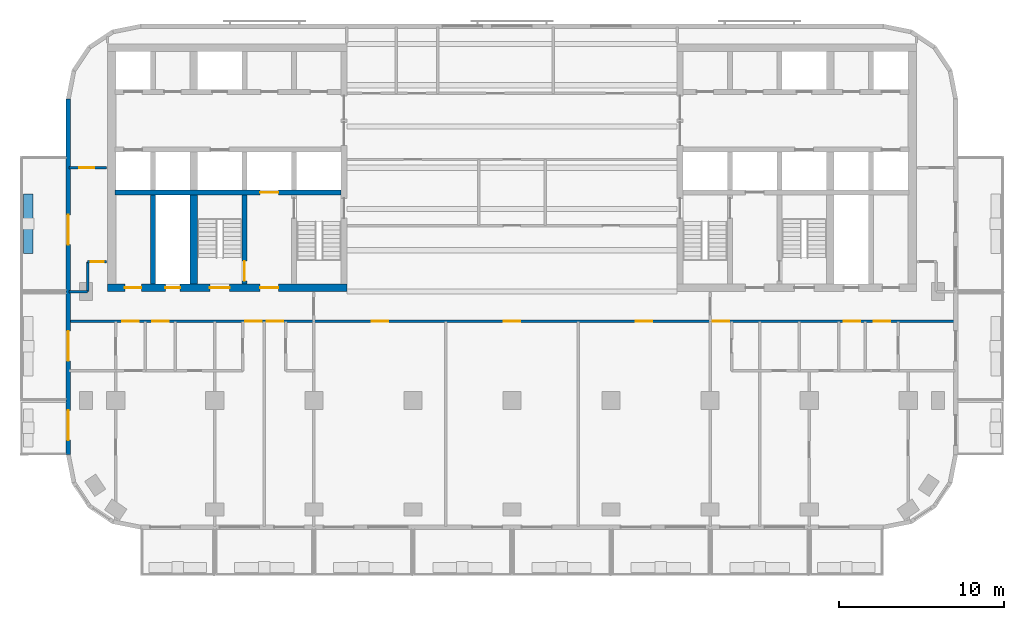
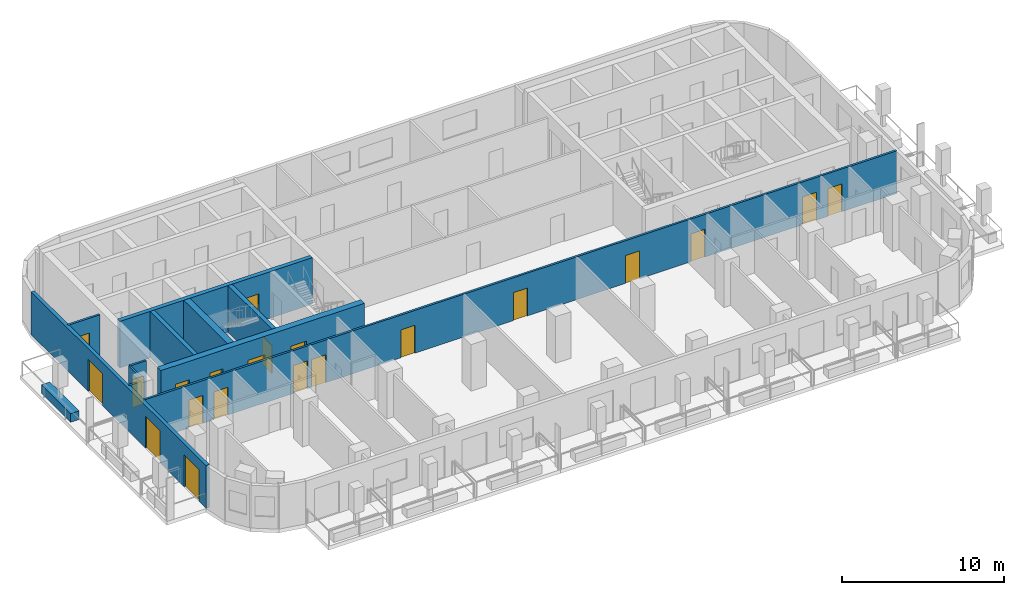
# One storey, part 3 of 11: 21 doors, 12 walls, 21 openings.
"""IFC4 building model written with IfcOpenShell, lengths in metres."""

from ifc_helpers import new_model, si_unit, direction, frame, frame_2d, origin, place, context, subcontext, project, spatial, rectangle, extrude, material, layer, layer_set, type_object, element, fill, save


model = new_model("IFC4")

# Units and contexts
model_context = context("Model", 3, precision=1e-05, world=origin(), true_north=direction((0.0, 1.0)))
body_context = subcontext(model_context, "Body", "Model", "MODEL_VIEW")
ifc_project = project(units=[si_unit("LENGTHUNIT", "METRE"), si_unit("AREAUNIT", "SQUARE_METRE"), si_unit("VOLUMEUNIT", "CUBIC_METRE"), si_unit("PLANEANGLEUNIT", "RADIAN"), si_unit("MASSUNIT", "GRAM", prefix="KILO")], contexts=[model_context])

# Site, building, storey
site_placement = place(None, origin())
site = spatial("IfcSite", under=ifc_project, at=site_placement, CompositionType="ELEMENT")
building_placement = place(site_placement, origin())
building = spatial("IfcBuilding", under=site, at=building_placement, Name="Torana Hotel and Residences", CompositionType="ELEMENT")
storey_placement = place(building_placement, frame((0.0, 0.0, 190.60009765625)))
storey = spatial("IfcBuildingStorey", under=building, at=storey_placement, Name="L49", CompositionType="ELEMENT", Elevation=190.60009765625)

# Wall, opening, door
ifc_material_1 = material(Name="Concrete C70/85", Category="concrete")
ifc_layer_1 = layer(ifc_material_1, 0.300048828125)
ifc_layer_set_1 = layer_set([ifc_layer_1], Name="CORE WALL 300 C70/85")
wall_type_1 = type_object("IfcWallType", Name="CORE WALL 300 C70/85", PredefinedType="SHEAR", material=ifc_layer_set_1)
wall_1_placement = place(storey_placement, frame((-24.050048828125, -9.0, 0.0), z_axis=(0.0, 0.0, 1.0), x_axis=(1.0, 0.0, 0.0)))
wall_1 = element("IfcWall", 1, at=wall_1_placement, inside=storey, type_object=wall_type_1, Name="Core wall W band", PredefinedType="SHEAR", context=body_context, shape_type="SweptSolid", body=[
    extrude(rectangle(XDim=13.699951171875, YDim=0.300048828125, at=frame_2d((6.85009765625, 0.0))), origin(), (0.0, 0.0, 1.0), 3.5),
])
opening_1_placement = place(wall_1_placement, frame((8.800048828125, 0.0, 0.0)))
opening_1 = element("IfcOpeningElement", 2, at=opening_1_placement, cuts=wall_1, Name="Opening LD", PredefinedType="OPENING", context=body_context, shape_type="SweptSolid", body=[
    extrude(rectangle(XDim=1.10009765625, YDim=2.10009765625, at=frame_2d((0.550048828125, 1.050048828125))), frame((0.0, 0.159912109375, 0.0), z_axis=(0.0, -1.0, 0.0), x_axis=(1.0, 0.0, 0.0)), (0.0, 0.0, 1.0), 0.320068359375),
])
ifc_material_2 = material(Name="Stainless steel 316", Category="steel")
door_type_1 = type_object("IfcDoorType", Name="LIFT LANDING DOOR LD 1100x2100", OperationType="DOUBLE_DOOR_SLIDING", PredefinedType="USERDEFINED", material=ifc_material_2)
door_1_placement = place(opening_1_placement, origin())
door_1 = element("IfcDoor", 3, at=door_1_placement, inside=storey, type_object=door_type_1, Name="Lift landing door FF1 L49", ObjectType="LIFT LANDING DOOR", OperationType="DOUBLE_DOOR_SLIDING", OverallHeight=2.10009765625, OverallWidth=1.10009765625, PredefinedType="USERDEFINED", context=body_context, shape_type="SweptSolid", body=[
    extrude(rectangle(XDim=1.10009765625, YDim=2.10009765625, at=frame_2d((0.550048828125, 1.050048828125))), frame((0.0, 0.02490234375, 0.0), z_axis=(0.0, -1.0, 0.0), x_axis=(1.0, 0.0, 0.0)), (0.0, 0.0, 1.0), 0.050048828125),
])
fill(opening_1, door_1)

wall_2_placement = place(storey_placement, frame((-16.199951171875, -14.550048828125, 0.0), z_axis=(0.0, 0.0, 1.0), x_axis=(0.0, 1.0, 0.0)))
wall_2 = element("IfcWall", 4, at=wall_2_placement, inside=storey, type_object=wall_type_1, Name="Core wall W x6.05-band", PredefinedType="SHEAR", context=body_context, shape_type="SweptSolid", body=[
    extrude(rectangle(XDim=5.400146484375, YDim=0.300048828125, at=frame_2d((2.7001953125, 0.0))), origin(), (0.0, 0.0, 1.0), 3.5),
])
opening_2_placement = place(wall_2_placement, frame((0.199951171875, 0.0, 0.0)))
opening_2 = element("IfcOpeningElement", 5, at=opening_2_placement, cuts=wall_2, Name="Opening L49-13", PredefinedType="OPENING", context=body_context, shape_type="SweptSolid", body=[
    extrude(rectangle(XDim=1.199951171875, YDim=2.10009765625, at=frame_2d((0.60009765625, 1.050048828125))), frame((0.0, 0.159912109375, 0.0), z_axis=(0.0, -1.0, 0.0), x_axis=(1.0, 0.0, 0.0)), (0.0, 0.0, 1.0), 0.320068359375),
])
ifc_material_3 = material(Name="Steel S235", Category="steel")
door_type_2 = type_object("IfcDoorType", Name="STAIR FIRE DOOR D3 1200x2100", OperationType="SINGLE_SWING_LEFT", PredefinedType="DOOR", material=ifc_material_3)
door_2_placement = place(opening_2_placement, origin())
door_2 = element("IfcDoor", 6, at=door_2_placement, inside=storey, type_object=door_type_2, Name="Stair-B-lobby door L49", OperationType="SINGLE_SWING_RIGHT", OverallHeight=2.10009765625, OverallWidth=1.199951171875, PredefinedType="DOOR", context=body_context, shape_type="SweptSolid", body=[
    extrude(rectangle(XDim=1.199951171875, YDim=2.10009765625, at=frame_2d((0.60009765625, 1.050048828125))), frame((0.0, 0.02490234375, 0.0), z_axis=(0.0, -1.0, 0.0), x_axis=(1.0, 0.0, 0.0)), (0.0, 0.0, 1.0), 0.050048828125),
])
fill(opening_2, door_2)

# Wall
wall_3_placement = place(storey_placement, frame((-21.75, -14.550048828125, 0.0), z_axis=(0.0, 0.0, 1.0), x_axis=(0.0, 1.0, 0.0)))
element("IfcWall", 7, at=wall_3_placement, inside=storey, type_object=wall_type_1, Name="Core wall W mm-band", PredefinedType="SHEAR", context=body_context, shape_type="SweptSolid", body=[
    extrude(rectangle(XDim=5.400146484375, YDim=0.300048828125, at=frame_2d((2.7001953125, 0.0))), origin(), (0.0, 0.0, 1.0), 3.5),
])

# Wall, openings, doors
ifc_material_4 = material(Name="Concrete C70/85", Category="concrete")
ifc_layer_2 = layer(ifc_material_4, 0.449951171875)
ifc_layer_set_2 = layer_set([ifc_layer_2], Name="CORE WALL 450 C70/85")
wall_type_2 = type_object("IfcWallType", Name="CORE WALL 450 C70/85", PredefinedType="SHEAR", material=ifc_layer_set_2)
wall_4_placement = place(storey_placement, frame((-24.5, -14.77490234375, 0.0), z_axis=(0.0, 0.0, 1.0), x_axis=(1.0, 0.0, 0.0)))
wall_4 = element("IfcWall", 8, at=wall_4_placement, inside=storey, type_object=wall_type_2, Name="Core wall W front", PredefinedType="SHEAR", context=body_context, shape_type="SweptSolid", body=[
    extrude(rectangle(XDim=14.5, YDim=0.449951171875, at=frame_2d((7.25, 0.0))), origin(), (0.0, 0.0, 1.0), 3.5),
])
opening_3_placement = place(wall_4_placement, frame((6.199951171875, 0.0, 0.0)))
opening_3 = element("IfcOpeningElement", 9, at=opening_3_placement, cuts=wall_4, Name="Opening L49-04", PredefinedType="OPENING", context=body_context, shape_type="SweptSolid", body=[
    extrude(rectangle(XDim=1.199951171875, YDim=2.10009765625, at=frame_2d((0.60009765625, 1.050048828125))), frame((0.0, 0.23486328125, 0.0), z_axis=(0.0, -1.0, 0.0), x_axis=(1.0, 0.0, 0.0)), (0.0, 0.0, 1.0), 0.469970703125),
])
opening_4_placement = place(wall_4_placement, frame((9.25, 0.0, 0.0)))
opening_4 = element("IfcOpeningElement", 10, at=opening_4_placement, cuts=wall_4, Name="Opening L49-05", PredefinedType="OPENING", context=body_context, shape_type="SweptSolid", body=[
    extrude(rectangle(XDim=1.10009765625, YDim=2.10009765625, at=frame_2d((0.550048828125, 1.050048828125))), frame((0.0, 0.23486328125, 0.0), z_axis=(0.0, -1.0, 0.0), x_axis=(1.0, 0.0, 0.0)), (0.0, 0.0, 1.0), 0.469970703125),
])
opening_5_placement = place(wall_4_placement, frame((3.5, 0.0, 0.0)))
opening_5 = element("IfcOpeningElement", 11, at=opening_5_placement, cuts=wall_4, Name="Opening L49-06", PredefinedType="OPENING", context=body_context, shape_type="SweptSolid", body=[
    extrude(rectangle(XDim=0.89990234375, YDim=2.10009765625, at=frame_2d((0.449951171875, 1.050048828125))), frame((0.0, 0.23486328125, 0.0), z_axis=(0.0, -1.0, 0.0), x_axis=(1.0, 0.0, 0.0)), (0.0, 0.0, 1.0), 0.469970703125),
])
opening_6_placement = place(wall_4_placement, frame((1.050048828125, 0.0, 0.0)))
opening_6 = element("IfcOpeningElement", 12, at=opening_6_placement, cuts=wall_4, Name="Opening L49-07", PredefinedType="OPENING", context=body_context, shape_type="SweptSolid", body=[
    extrude(rectangle(XDim=1.0, YDim=2.10009765625, at=frame_2d((0.5, 1.050048828125))), frame((0.0, 0.23486328125, 0.0), z_axis=(0.0, -1.0, 0.0), x_axis=(1.0, 0.0, 0.0)), (0.0, 0.0, 1.0), 0.469970703125),
])
ifc_material_5 = material(Name="Steel S235", Category="steel")
door_type_3 = type_object("IfcDoorType", Name="CORE ROOM FIRE DOOR D14 1000x2100", OperationType="SINGLE_SWING_LEFT", PredefinedType="DOOR", material=ifc_material_5)
door_3_placement = place(opening_6_placement, origin())
door_3 = element("IfcDoor", 13, at=door_3_placement, inside=storey, type_object=door_type_3, Name="M-Room door L49", OperationType="SINGLE_SWING_RIGHT", OverallHeight=2.10009765625, OverallWidth=1.0, PredefinedType="DOOR", context=body_context, shape_type="SweptSolid", body=[
    extrude(rectangle(XDim=1.0, YDim=2.10009765625, at=frame_2d((0.5, 1.050048828125))), frame((0.0, 0.02490234375, 0.0), z_axis=(0.0, -1.0, 0.0), x_axis=(1.0, 0.0, 0.0)), (0.0, 0.0, 1.0), 0.050048828125),
])
fill(opening_6, door_3)
ifc_material_6 = material(Name="Steel S235", Category="steel")
door_type_4 = type_object("IfcDoorType", Name="FIRE-FIGHTING LOBBY DOOR D8 1100x2100", OperationType="SINGLE_SWING_LEFT", PredefinedType="DOOR", material=ifc_material_6)
door_4_placement = place(opening_4_placement, origin())
door_4 = element("IfcDoor", 14, at=door_4_placement, inside=storey, type_object=door_type_4, Name="FF-lobby door L49", OperationType="SINGLE_SWING_RIGHT", OverallHeight=2.10009765625, OverallWidth=1.10009765625, PredefinedType="DOOR", context=body_context, shape_type="SweptSolid", body=[
    extrude(rectangle(XDim=1.10009765625, YDim=2.10009765625, at=frame_2d((0.550048828125, 1.050048828125))), frame((0.0, 0.02490234375, 0.0), z_axis=(0.0, -1.0, 0.0), x_axis=(1.0, 0.0, 0.0)), (0.0, 0.0, 1.0), 0.050048828125),
])
fill(opening_4, door_4)
ifc_material_7 = material(Name="Steel S235", Category="steel")
door_type_5 = type_object("IfcDoorType", Name="RISER ACCESS DOOR D5 900x2100", OperationType="SINGLE_SWING_LEFT", PredefinedType="DOOR", material=ifc_material_7)
door_5_placement = place(opening_5_placement, origin())
door_5 = element("IfcDoor", 15, at=door_5_placement, inside=storey, type_object=door_type_5, Name="M-Riser door L49", OperationType="SINGLE_SWING_RIGHT", OverallHeight=2.10009765625, OverallWidth=0.89990234375, PredefinedType="DOOR", context=body_context, shape_type="SweptSolid", body=[
    extrude(rectangle(XDim=0.89990234375, YDim=2.10009765625, at=frame_2d((0.449951171875, 1.050048828125))), frame((0.0, 0.02490234375, 0.0), z_axis=(0.0, -1.0, 0.0), x_axis=(1.0, 0.0, 0.0)), (0.0, 0.0, 1.0), 0.050048828125),
])
fill(opening_5, door_5)
door_6_placement = place(opening_3_placement, origin())
door_6 = element("IfcDoor", 16, at=door_6_placement, inside=storey, type_object=door_type_2, Name="Stair-B door L49", OperationType="SINGLE_SWING_RIGHT", OverallHeight=2.10009765625, OverallWidth=1.199951171875, PredefinedType="DOOR", context=body_context, shape_type="SweptSolid", body=[
    extrude(rectangle(XDim=1.199951171875, YDim=2.10009765625, at=frame_2d((0.60009765625, 1.050048828125))), frame((0.0, 0.02490234375, 0.0), z_axis=(0.0, -1.0, 0.0), x_axis=(1.0, 0.0, 0.0)), (0.0, 0.0, 1.0), 0.050048828125),
])
fill(opening_3, door_6)

# Wall
wall_5_placement = place(storey_placement, frame((-19.27490234375, -14.550048828125, 0.0), z_axis=(0.0, 0.0, 1.0), x_axis=(0.0, 1.0, 0.0)))
element("IfcWall", 17, at=wall_5_placement, inside=storey, type_object=wall_type_2, Name="Core wall W hm-band", PredefinedType="SHEAR", context=body_context, shape_type="SweptSolid", body=[
    extrude(rectangle(XDim=5.400146484375, YDim=0.449951171875, at=frame_2d((2.7001953125, 0.0))), origin(), (0.0, 0.0, 1.0), 3.5),
])

# Wall, openings, doors
ifc_material_8 = material(Name="Black aluminium composite panel", Category="aluminium")
ifc_layer_3 = layer(ifc_material_8, 0.00390625, Name="Cladding", Category="cladding")
ifc_material_9 = material(Name="Ventilated air cavity")
ifc_layer_4 = layer(ifc_material_9, 0.0400390625, Name="Ventilated cavity", Category="cavity")
ifc_material_10 = material(Name="Mineral wool insulation")
ifc_layer_5 = layer(ifc_material_10, 0.090087890625, Name="Insulation", Category="insulation")
ifc_material_11 = material(Name="Steel S280GD", Category="steel")
ifc_layer_6 = layer(ifc_material_11, 0.092041015625, Name="Steel stud frame", Category="structure")
ifc_material_12 = material(Name="Fire rated plasterboard")
ifc_layer_7 = layer(ifc_material_12, 0.011962890625, Name="Inner board", Category="finish")
ifc_layer_8 = layer(ifc_material_12, 0.011962890625, Name="Second board", Category="finish")
ifc_layer_set_3 = layer_set([ifc_layer_3, ifc_layer_4, ifc_layer_5, ifc_layer_6, ifc_layer_7, ifc_layer_8], Name="EW1 EXTERNAL WALL BLACK METAL CLAD 250")
wall_type_3 = type_object("IfcWallType", Name="EW1 EXTERNAL WALL BLACK METAL CLAD 250", PredefinedType="SOLIDWALL", material=ifc_layer_set_3)
wall_6_placement = place(storey_placement, frame((-26.875, -3.32470703125, 0.0), z_axis=(0.0, 0.0, 1.0), x_axis=(0.0, -1.0, 0.0)))
wall_6 = element("IfcWall", 18, at=wall_6_placement, inside=storey, type_object=wall_type_3, Name="External wall L49 e0.9", PredefinedType="SOLIDWALL", context=body_context, shape_type="SweptSolid", body=[
    extrude(rectangle(XDim=21.55078125, YDim=0.25, at=frame_2d((10.775390625, 0.0))), origin(), (0.0, 0.0, 1.0), 3.219970703125),
])
opening_7_placement = place(wall_6_placement, frame((7.025390625, 0.0, 0.0)))
opening_7 = element("IfcOpeningElement", 19, at=opening_7_placement, cuts=wall_6, Name="Opening L49-E12", PredefinedType="OPENING", context=body_context, shape_type="SweptSolid", body=[
    extrude(rectangle(XDim=1.800048828125, YDim=2.39990234375, at=frame_2d((0.89990234375, 1.199951171875))), frame((0.0, 0.135009765625, 0.0), z_axis=(0.0, -1.0, 0.0), x_axis=(1.0, 0.0, 0.0)), (0.0, 0.0, 1.0), 0.27001953125),
])
opening_8_placement = place(wall_6_placement, frame((14.075439453125, 0.0, 0.0)))
opening_8 = element("IfcOpeningElement", 20, at=opening_8_placement, cuts=wall_6, Name="Opening L49-E13", PredefinedType="OPENING", context=body_context, shape_type="SweptSolid", body=[
    extrude(rectangle(XDim=1.800048828125, YDim=2.39990234375, at=frame_2d((0.89990234375, 1.199951171875))), frame((0.0, 0.135009765625, 0.0), z_axis=(0.0, -1.0, 0.0), x_axis=(1.0, 0.0, 0.0)), (0.0, 0.0, 1.0), 0.27001953125),
])
opening_9_placement = place(wall_6_placement, frame((18.87548828125, 0.0, 0.0)))
opening_9 = element("IfcOpeningElement", 21, at=opening_9_placement, cuts=wall_6, Name="Opening L49-E14", PredefinedType="OPENING", context=body_context, shape_type="SweptSolid", body=[
    extrude(rectangle(XDim=1.800048828125, YDim=2.39990234375, at=frame_2d((0.89990234375, 1.199951171875))), frame((0.0, 0.135009765625, 0.0), z_axis=(0.0, -1.0, 0.0), x_axis=(1.0, 0.0, 0.0)), (0.0, 0.0, 1.0), 0.27001953125),
])
ifc_material_13 = material(Name="Dark glass in black aluminium frame", Category="aluminium")
door_type_6 = type_object("IfcDoorType", Name="DB1 BALCONY DOOR 1800x2400", OperationType="DOUBLE_DOOR_SINGLE_SWING", PredefinedType="DOOR", material=ifc_material_13)
door_7_placement = place(opening_7_placement, origin())
door_7 = element("IfcDoor", 22, at=door_7_placement, inside=storey, type_object=door_type_6, Name="Balcony door L49", OperationType="DOUBLE_DOOR_SINGLE_SWING", OverallHeight=2.39990234375, OverallWidth=1.800048828125, PredefinedType="DOOR", context=body_context, shape_type="SweptSolid", body=[
    extrude(rectangle(XDim=1.800048828125, YDim=2.39990234375, at=frame_2d((0.89990234375, 1.199951171875))), frame((0.0, 0.02490234375, 0.0), z_axis=(0.0, -1.0, 0.0), x_axis=(1.0, 0.0, 0.0)), (0.0, 0.0, 1.0), 0.050048828125),
])
fill(opening_7, door_7)
door_8_placement = place(opening_8_placement, origin())
door_8 = element("IfcDoor", 23, at=door_8_placement, inside=storey, type_object=door_type_6, Name="Balcony door L49", OperationType="DOUBLE_DOOR_SINGLE_SWING", OverallHeight=2.39990234375, OverallWidth=1.800048828125, PredefinedType="DOOR", context=body_context, shape_type="SweptSolid", body=[
    extrude(rectangle(XDim=1.800048828125, YDim=2.39990234375, at=frame_2d((0.89990234375, 1.199951171875))), frame((0.0, 0.02490234375, 0.0), z_axis=(0.0, -1.0, 0.0), x_axis=(1.0, 0.0, 0.0)), (0.0, 0.0, 1.0), 0.050048828125),
])
fill(opening_8, door_8)
door_9_placement = place(opening_9_placement, origin())
door_9 = element("IfcDoor", 24, at=door_9_placement, inside=storey, type_object=door_type_6, Name="Balcony door L49", OperationType="DOUBLE_DOOR_SINGLE_SWING", OverallHeight=2.39990234375, OverallWidth=1.800048828125, PredefinedType="DOOR", context=body_context, shape_type="SweptSolid", body=[
    extrude(rectangle(XDim=1.800048828125, YDim=2.39990234375, at=frame_2d((0.89990234375, 1.199951171875))), frame((0.0, 0.02490234375, 0.0), z_axis=(0.0, -1.0, 0.0), x_axis=(1.0, 0.0, 0.0)), (0.0, 0.0, 1.0), 0.050048828125),
])
fill(opening_9, door_9)

# Wall
ifc_material_14 = material(Name="Gypsum plaster")
ifc_layer_9 = layer(ifc_material_14, 0.014892578125, Name="Plaster", Category="finish")
ifc_material_15 = material(Name="Concrete blockwork", Category="masonry")
ifc_layer_10 = layer(ifc_material_15, 0.1201171875, Name="Blockwork", Category="structure")
ifc_layer_11 = layer(ifc_material_14, 0.014892578125, Name="Plaster", Category="finish")
ifc_layer_set_4 = layer_set([ifc_layer_9, ifc_layer_10, ifc_layer_11], Name="FIRE PARTITION 150 BLOCKWORK")
wall_type_4 = type_object("IfcWallType", Name="FIRE PARTITION 150 BLOCKWORK", PredefinedType="PARTITIONING", material=ifc_layer_set_4)
wall_7_placement = place(storey_placement, frame((-25.699951171875, -15.0, 0.0), z_axis=(0.0, 0.0, 1.0), x_axis=(0.0, 1.0, 0.0)))
element("IfcWall", 25, at=wall_7_placement, inside=storey, type_object=wall_type_4, Name="Partition L49", PredefinedType="PARTITIONING", context=body_context, shape_type="SweptSolid", body=[
    extrude(rectangle(XDim=1.800048828125, YDim=0.14990234375, at=frame_2d((0.89990234375, 0.0))), origin(), (0.0, 0.0, 1.0), 3.219970703125),
])

# Wall, openings, doors
wall_8_placement = place(storey_placement, frame((-26.820068359375, -16.800048828125, 0.0), z_axis=(0.0, 0.0, 1.0), x_axis=(1.0, 0.0, 0.0)))
wall_8 = element("IfcWall", 26, at=wall_8_placement, inside=storey, type_object=wall_type_4, Name="Partition L49", PredefinedType="PARTITIONING", context=body_context, shape_type="SweptSolid", body=[
    extrude(rectangle(XDim=53.64013671875, YDim=0.14990234375, at=frame_2d((26.820068359375, 0.0))), origin(), (0.0, 0.0, 1.0), 3.219970703125),
])
opening_10_placement = place(wall_8_placement, frame((11.969970703125, 0.0, 0.0)))
opening_10 = element("IfcOpeningElement", 27, at=opening_10_placement, cuts=wall_8, Name="Opening L49-28", PredefinedType="OPENING", context=body_context, shape_type="SweptSolid", body=[
    extrude(rectangle(XDim=1.0, YDim=2.10009765625, at=frame_2d((0.5, 1.050048828125))), frame((0.0, 0.0849609375, 0.0), z_axis=(0.0, -1.0, 0.0), x_axis=(1.0, 0.0, 0.0)), (0.0, 0.0, 1.0), 0.169921875),
])
opening_11_placement = place(wall_8_placement, frame((10.669921875, 0.0, 0.0)))
opening_11 = element("IfcOpeningElement", 28, at=opening_11_placement, cuts=wall_8, Name="Opening L49-29", PredefinedType="OPENING", context=body_context, shape_type="SweptSolid", body=[
    extrude(rectangle(XDim=1.0, YDim=2.10009765625, at=frame_2d((0.5, 1.050048828125))), frame((0.0, 0.0849609375, 0.0), z_axis=(0.0, -1.0, 0.0), x_axis=(1.0, 0.0, 0.0)), (0.0, 0.0, 1.0), 0.169921875),
])
opening_12_placement = place(wall_8_placement, frame((3.219970703125, 0.0, 0.0)))
opening_12 = element("IfcOpeningElement", 29, at=opening_12_placement, cuts=wall_8, Name="Opening L49-30", PredefinedType="OPENING", context=body_context, shape_type="SweptSolid", body=[
    extrude(rectangle(XDim=1.0, YDim=2.10009765625, at=frame_2d((0.5, 1.050048828125))), frame((0.0, 0.0849609375, 0.0), z_axis=(0.0, -1.0, 0.0), x_axis=(1.0, 0.0, 0.0)), (0.0, 0.0, 1.0), 0.169921875),
])
opening_13_placement = place(wall_8_placement, frame((5.02001953125, 0.0, 0.0)))
opening_13 = element("IfcOpeningElement", 30, at=opening_13_placement, cuts=wall_8, Name="Opening L49-31", PredefinedType="OPENING", context=body_context, shape_type="SweptSolid", body=[
    extrude(rectangle(XDim=1.0, YDim=2.10009765625, at=frame_2d((0.5, 1.050048828125))), frame((0.0, 0.0849609375, 0.0), z_axis=(0.0, -1.0, 0.0), x_axis=(1.0, 0.0, 0.0)), (0.0, 0.0, 1.0), 0.169921875),
])
opening_14_placement = place(wall_8_placement, frame((38.969970703125, 0.0, 0.0)))
opening_14 = element("IfcOpeningElement", 31, at=opening_14_placement, cuts=wall_8, Name="Opening L49-34", PredefinedType="OPENING", context=body_context, shape_type="SweptSolid", body=[
    extrude(rectangle(XDim=1.0, YDim=2.10009765625, at=frame_2d((0.5, 1.050048828125))), frame((0.0, 0.0849609375, 0.0), z_axis=(0.0, -1.0, 0.0), x_axis=(1.0, 0.0, 0.0)), (0.0, 0.0, 1.0), 0.169921875),
])
opening_15_placement = place(wall_8_placement, frame((48.719970703125, 0.0, 0.0)))
opening_15 = element("IfcOpeningElement", 32, at=opening_15_placement, cuts=wall_8, Name="Opening L49-35", PredefinedType="OPENING", context=body_context, shape_type="SweptSolid", body=[
    extrude(rectangle(XDim=1.0, YDim=2.10009765625, at=frame_2d((0.5, 1.050048828125))), frame((0.0, 0.0849609375, 0.0), z_axis=(0.0, -1.0, 0.0), x_axis=(1.0, 0.0, 0.0)), (0.0, 0.0, 1.0), 0.169921875),
])
opening_16_placement = place(wall_8_placement, frame((46.919921875, 0.0, 0.0)))
opening_16 = element("IfcOpeningElement", 33, at=opening_16_placement, cuts=wall_8, Name="Opening L49-36", PredefinedType="OPENING", context=body_context, shape_type="SweptSolid", body=[
    extrude(rectangle(XDim=1.0, YDim=2.10009765625, at=frame_2d((0.5, 1.050048828125))), frame((0.0, 0.0849609375, 0.0), z_axis=(0.0, -1.0, 0.0), x_axis=(1.0, 0.0, 0.0)), (0.0, 0.0, 1.0), 0.169921875),
])
opening_17_placement = place(wall_8_placement, frame((18.320068359375, 0.0, 0.0)))
opening_17 = element("IfcOpeningElement", 34, at=opening_17_placement, cuts=wall_8, Name="Opening L49-39", PredefinedType="OPENING", context=body_context, shape_type="SweptSolid", body=[
    extrude(rectangle(XDim=1.0, YDim=2.10009765625, at=frame_2d((0.5, 1.050048828125))), frame((0.0, 0.0849609375, 0.0), z_axis=(0.0, -1.0, 0.0), x_axis=(1.0, 0.0, 0.0)), (0.0, 0.0, 1.0), 0.169921875),
])
opening_18_placement = place(wall_8_placement, frame((26.320068359375, 0.0, 0.0)))
opening_18 = element("IfcOpeningElement", 35, at=opening_18_placement, cuts=wall_8, Name="Opening L49-40", PredefinedType="OPENING", context=body_context, shape_type="SweptSolid", body=[
    extrude(rectangle(XDim=1.0, YDim=2.10009765625, at=frame_2d((0.5, 1.050048828125))), frame((0.0, 0.0849609375, 0.0), z_axis=(0.0, -1.0, 0.0), x_axis=(1.0, 0.0, 0.0)), (0.0, 0.0, 1.0), 0.169921875),
])
opening_19_placement = place(wall_8_placement, frame((34.320068359375, 0.0, 0.0)))
opening_19 = element("IfcOpeningElement", 36, at=opening_19_placement, cuts=wall_8, Name="Opening L49-41", PredefinedType="OPENING", context=body_context, shape_type="SweptSolid", body=[
    extrude(rectangle(XDim=1.0, YDim=2.10009765625, at=frame_2d((0.5, 1.050048828125))), frame((0.0, 0.0849609375, 0.0), z_axis=(0.0, -1.0, 0.0), x_axis=(1.0, 0.0, 0.0)), (0.0, 0.0, 1.0), 0.169921875),
])
ifc_material_16 = material(Name="Steel S235", Category="steel")
door_type_7 = type_object("IfcDoorType", Name="ENTRY FIRE DOOR D6 1000x2100", OperationType="SINGLE_SWING_LEFT", PredefinedType="DOOR", material=ifc_material_16)
door_10_placement = place(opening_10_placement, frame((0.5, 0.0, 0.0), z_axis=(0.0, 0.0, 1.0), x_axis=(-1.0, 0.0, 0.0)))
door_10 = element("IfcDoor", 37, at=door_10_placement, inside=storey, type_object=door_type_7, Name="Door L49", OperationType="SINGLE_SWING_LEFT", OverallHeight=2.10009765625, OverallWidth=1.0, PredefinedType="DOOR", context=body_context, shape_type="SweptSolid", body=[
    extrude(rectangle(XDim=1.0, YDim=2.10009765625, at=frame_2d((0.0, 1.050048828125))), frame((0.0, -0.02490234375, 0.0), z_axis=(0.0, 1.0, 0.0), x_axis=(-1.0, 0.0, 0.0)), (0.0, 0.0, 1.0), 0.050048828125),
])
fill(opening_10, door_10)
door_11_placement = place(opening_11_placement, frame((0.5, 0.0, 0.0), z_axis=(0.0, 0.0, 1.0), x_axis=(-1.0, 0.0, 0.0)))
door_11 = element("IfcDoor", 38, at=door_11_placement, inside=storey, type_object=door_type_7, Name="Door L49", OperationType="SINGLE_SWING_LEFT", OverallHeight=2.10009765625, OverallWidth=1.0, PredefinedType="DOOR", context=body_context, shape_type="SweptSolid", body=[
    extrude(rectangle(XDim=1.0, YDim=2.10009765625, at=frame_2d((0.0, 1.050048828125))), frame((0.0, -0.02490234375, 0.0), z_axis=(0.0, 1.0, 0.0), x_axis=(-1.0, 0.0, 0.0)), (0.0, 0.0, 1.0), 0.050048828125),
])
fill(opening_11, door_11)
door_12_placement = place(opening_12_placement, origin())
door_12 = element("IfcDoor", 39, at=door_12_placement, inside=storey, type_object=door_type_7, Name="Door L49", OperationType="SINGLE_SWING_RIGHT", OverallHeight=2.10009765625, OverallWidth=1.0, PredefinedType="DOOR", context=body_context, shape_type="SweptSolid", body=[
    extrude(rectangle(XDim=1.0, YDim=2.10009765625, at=frame_2d((0.5, 1.050048828125))), frame((0.0, 0.02490234375, 0.0), z_axis=(0.0, -1.0, 0.0), x_axis=(1.0, 0.0, 0.0)), (0.0, 0.0, 1.0), 0.050048828125),
])
fill(opening_12, door_12)
door_13_placement = place(opening_13_placement, frame((0.5, 0.0, 0.0), z_axis=(0.0, 0.0, 1.0), x_axis=(-1.0, 0.0, 0.0)))
door_13 = element("IfcDoor", 40, at=door_13_placement, inside=storey, type_object=door_type_7, Name="Door L49", OperationType="SINGLE_SWING_LEFT", OverallHeight=2.10009765625, OverallWidth=1.0, PredefinedType="DOOR", context=body_context, shape_type="SweptSolid", body=[
    extrude(rectangle(XDim=1.0, YDim=2.10009765625, at=frame_2d((0.0, 1.050048828125))), frame((0.0, -0.02490234375, 0.0), z_axis=(0.0, 1.0, 0.0), x_axis=(-1.0, 0.0, 0.0)), (0.0, 0.0, 1.0), 0.050048828125),
])
fill(opening_13, door_13)
door_14_placement = place(opening_14_placement, frame((0.5, 0.0, 0.0), z_axis=(0.0, 0.0, 1.0), x_axis=(-1.0, 0.0, 0.0)))
door_14 = element("IfcDoor", 41, at=door_14_placement, inside=storey, type_object=door_type_7, Name="Door L49", OperationType="SINGLE_SWING_LEFT", OverallHeight=2.10009765625, OverallWidth=1.0, PredefinedType="DOOR", context=body_context, shape_type="SweptSolid", body=[
    extrude(rectangle(XDim=1.0, YDim=2.10009765625, at=frame_2d((0.0, 1.050048828125))), frame((0.0, -0.02490234375, 0.0), z_axis=(0.0, 1.0, 0.0), x_axis=(-1.0, 0.0, 0.0)), (0.0, 0.0, 1.0), 0.050048828125),
])
fill(opening_14, door_14)
door_15_placement = place(opening_15_placement, origin())
door_15 = element("IfcDoor", 42, at=door_15_placement, inside=storey, type_object=door_type_7, Name="Door L49", OperationType="SINGLE_SWING_RIGHT", OverallHeight=2.10009765625, OverallWidth=1.0, PredefinedType="DOOR", context=body_context, shape_type="SweptSolid", body=[
    extrude(rectangle(XDim=1.0, YDim=2.10009765625, at=frame_2d((0.5, 1.050048828125))), frame((0.0, 0.02490234375, 0.0), z_axis=(0.0, -1.0, 0.0), x_axis=(1.0, 0.0, 0.0)), (0.0, 0.0, 1.0), 0.050048828125),
])
fill(opening_15, door_15)
door_16_placement = place(opening_16_placement, frame((0.5, 0.0, 0.0), z_axis=(0.0, 0.0, 1.0), x_axis=(-1.0, 0.0, 0.0)))
door_16 = element("IfcDoor", 43, at=door_16_placement, inside=storey, type_object=door_type_7, Name="Door L49", OperationType="SINGLE_SWING_LEFT", OverallHeight=2.10009765625, OverallWidth=1.0, PredefinedType="DOOR", context=body_context, shape_type="SweptSolid", body=[
    extrude(rectangle(XDim=1.0, YDim=2.10009765625, at=frame_2d((0.0, 1.050048828125))), frame((0.0, -0.02490234375, 0.0), z_axis=(0.0, 1.0, 0.0), x_axis=(-1.0, 0.0, 0.0)), (0.0, 0.0, 1.0), 0.050048828125),
])
fill(opening_16, door_16)
door_17_placement = place(opening_17_placement, frame((0.5, 0.0, 0.0), z_axis=(0.0, 0.0, 1.0), x_axis=(-1.0, 0.0, 0.0)))
door_17 = element("IfcDoor", 44, at=door_17_placement, inside=storey, type_object=door_type_7, Name="Door L49", OperationType="SINGLE_SWING_LEFT", OverallHeight=2.10009765625, OverallWidth=1.0, PredefinedType="DOOR", context=body_context, shape_type="SweptSolid", body=[
    extrude(rectangle(XDim=1.0, YDim=2.10009765625, at=frame_2d((0.0, 1.050048828125))), frame((0.0, -0.02490234375, 0.0), z_axis=(0.0, 1.0, 0.0), x_axis=(-1.0, 0.0, 0.0)), (0.0, 0.0, 1.0), 0.050048828125),
])
fill(opening_17, door_17)
door_18_placement = place(opening_18_placement, frame((0.5, 0.0, 0.0), z_axis=(0.0, 0.0, 1.0), x_axis=(-1.0, 0.0, 0.0)))
door_18 = element("IfcDoor", 45, at=door_18_placement, inside=storey, type_object=door_type_7, Name="Door L49", OperationType="SINGLE_SWING_LEFT", OverallHeight=2.10009765625, OverallWidth=1.0, PredefinedType="DOOR", context=body_context, shape_type="SweptSolid", body=[
    extrude(rectangle(XDim=1.0, YDim=2.10009765625, at=frame_2d((0.0, 1.050048828125))), frame((0.0, -0.02490234375, 0.0), z_axis=(0.0, 1.0, 0.0), x_axis=(-1.0, 0.0, 0.0)), (0.0, 0.0, 1.0), 0.050048828125),
])
fill(opening_18, door_18)
door_19_placement = place(opening_19_placement, frame((0.5, 0.0, 0.0), z_axis=(0.0, 0.0, 1.0), x_axis=(-1.0, 0.0, 0.0)))
door_19 = element("IfcDoor", 46, at=door_19_placement, inside=storey, type_object=door_type_7, Name="Door L49", OperationType="SINGLE_SWING_LEFT", OverallHeight=2.10009765625, OverallWidth=1.0, PredefinedType="DOOR", context=body_context, shape_type="SweptSolid", body=[
    extrude(rectangle(XDim=1.0, YDim=2.10009765625, at=frame_2d((0.0, 1.050048828125))), frame((0.0, -0.02490234375, 0.0), z_axis=(0.0, 1.0, 0.0), x_axis=(-1.0, 0.0, 0.0)), (0.0, 0.0, 1.0), 0.050048828125),
])
fill(opening_19, door_19)

# Wall
wall_9_placement = place(storey_placement, frame((-26.820068359375, -15.0, 0.0), z_axis=(0.0, 0.0, 1.0), x_axis=(1.0, 0.0, 0.0)))
element("IfcWall", 47, at=wall_9_placement, inside=storey, type_object=wall_type_4, Name="Partition L49", PredefinedType="PARTITIONING", context=body_context, shape_type="SweptSolid", body=[
    extrude(rectangle(XDim=1.1201171875, YDim=0.14990234375, at=frame_2d((0.56005859375, 0.0))), origin(), (0.0, 0.0, 1.0), 3.219970703125),
])

# Wall, opening, door
wall_10_placement = place(storey_placement, frame((-25.699951171875, -13.199951171875, 0.0), z_axis=(0.0, 0.0, 1.0), x_axis=(1.0, 0.0, 0.0)))
wall_10 = element("IfcWall", 48, at=wall_10_placement, inside=storey, type_object=wall_type_4, Name="Partition L49", PredefinedType="PARTITIONING", context=body_context, shape_type="SweptSolid", body=[
    extrude(rectangle(XDim=1.14990234375, YDim=0.14990234375, at=frame_2d((0.574951171875, 0.0))), origin(), (0.0, 0.0, 1.0), 3.219970703125),
])
opening_20_placement = place(wall_10_placement, frame((0.175048828125, 0.0, 0.0)))
opening_20 = element("IfcOpeningElement", 49, at=opening_20_placement, cuts=wall_10, Name="Opening L49-32", PredefinedType="OPENING", context=body_context, shape_type="SweptSolid", body=[
    extrude(rectangle(XDim=0.800048828125, YDim=2.10009765625, at=frame_2d((0.39990234375, 1.050048828125))), frame((0.0, 0.0849609375, 0.0), z_axis=(0.0, -1.0, 0.0), x_axis=(1.0, 0.0, 0.0)), (0.0, 0.0, 1.0), 0.169921875),
])
ifc_material_17 = material(Name="Steel S235", Category="steel")
door_type_8 = type_object("IfcDoorType", Name="STORE FIRE DOOR D16 800x2100", OperationType="SINGLE_SWING_LEFT", PredefinedType="DOOR", material=ifc_material_17)
door_20_placement = place(opening_20_placement, origin())
door_20 = element("IfcDoor", 50, at=door_20_placement, inside=storey, type_object=door_type_8, Name="Door L49", OperationType="SINGLE_SWING_LEFT", OverallHeight=2.10009765625, OverallWidth=0.800048828125, PredefinedType="DOOR", context=body_context, shape_type="SweptSolid", body=[
    extrude(rectangle(XDim=0.800048828125, YDim=2.10009765625, at=frame_2d((0.39990234375, 1.050048828125))), frame((0.0, 0.02490234375, 0.0), z_axis=(0.0, -1.0, 0.0), x_axis=(1.0, 0.0, 0.0)), (0.0, 0.0, 1.0), 0.050048828125),
])
fill(opening_20, door_20)

ifc_material_18 = material(Name="Gypsum plasterboard")
ifc_layer_12 = layer(ifc_material_18, 0.012451171875, Name="Plasterboard", Category="finish")
ifc_layer_13 = layer(ifc_material_18, 0.012451171875, Name="Plasterboard", Category="finish")
ifc_layer_14 = layer(ifc_material_11, 0.10009765625, Name="Steel studs with mineral wool", Category="insulation")
ifc_layer_15 = layer(ifc_material_18, 0.012451171875, Name="Plasterboard", Category="finish")
ifc_layer_16 = layer(ifc_material_18, 0.012451171875, Name="Plasterboard", Category="finish")
ifc_layer_set_5 = layer_set([ifc_layer_12, ifc_layer_13, ifc_layer_14, ifc_layer_15, ifc_layer_16], Name="PARTITION 150 PLASTERBOARD")
wall_type_5 = type_object("IfcWallType", Name="PARTITION 150 PLASTERBOARD", PredefinedType="PARTITIONING", material=ifc_layer_set_5)
wall_11_placement = place(storey_placement, frame((-26.820068359375, -7.5, 0.0), z_axis=(0.0, 0.0, 1.0), x_axis=(1.0, 0.0, 0.0)))
wall_11 = element("IfcWall", 51, at=wall_11_placement, inside=storey, type_object=wall_type_5, Name="Partition L49", PredefinedType="PARTITIONING", context=body_context, shape_type="SweptSolid", body=[
    extrude(rectangle(XDim=2.27001953125, YDim=0.14990234375, at=frame_2d((1.135009765625, 0.0))), origin(), (0.0, 0.0, 1.0), 3.219970703125),
])
opening_21_placement = place(wall_11_placement, frame((0.6201171875, 0.0, 0.0)))
opening_21 = element("IfcOpeningElement", 52, at=opening_21_placement, cuts=wall_11, Name="Opening L49-62", PredefinedType="OPENING", context=body_context, shape_type="SweptSolid", body=[
    extrude(rectangle(XDim=0.89990234375, YDim=2.10009765625, at=frame_2d((0.449951171875, 1.050048828125))), frame((0.0, 0.0849609375, 0.0), z_axis=(0.0, -1.0, 0.0), x_axis=(1.0, 0.0, 0.0)), (0.0, 0.0, 1.0), 0.169921875),
])
ifc_material_19 = material(Name="Timber door, oiled ash", Category="wood")
door_type_9 = type_object("IfcDoorType", Name="ROOM DOOR D7 900x2100", OperationType="SINGLE_SWING_LEFT", PredefinedType="DOOR", material=ifc_material_19)
door_21_placement = place(opening_21_placement, origin())
door_21 = element("IfcDoor", 53, at=door_21_placement, inside=storey, type_object=door_type_9, Name="Door L49", OperationType="SINGLE_SWING_RIGHT", OverallHeight=2.10009765625, OverallWidth=0.89990234375, PredefinedType="DOOR", context=body_context, shape_type="SweptSolid", body=[
    extrude(rectangle(XDim=0.89990234375, YDim=2.10009765625, at=frame_2d((0.449951171875, 1.050048828125))), frame((0.0, 0.02490234375, 0.0), z_axis=(0.0, -1.0, 0.0), x_axis=(1.0, 0.0, 0.0)), (0.0, 0.0, 1.0), 0.050048828125),
])
fill(opening_21, door_21)

# Wall
ifc_material_20 = material(Name="Concrete C40/50 precast", Category="concrete")
ifc_layer_17 = layer(ifc_material_20, 0.10009765625, Name="Planter shell", Category="structure")
ifc_material_21 = material(Name="Root resistant membrane")
ifc_layer_18 = layer(ifc_material_21, 0.00390625, Name="Waterproofing membrane", Category="membrane")
ifc_material_22 = material(Name="Drainage board with filter fleece")
ifc_layer_19 = layer(ifc_material_22, 0.02001953125, Name="Drainage board", Category="drainage")
ifc_material_23 = material(Name="Growing medium")
ifc_layer_20 = layer(ifc_material_23, 0.47607421875, Name="Planting substrate", Category="soil")
ifc_layer_set_6 = layer_set([ifc_layer_17, ifc_layer_18, ifc_layer_19, ifc_layer_20], Name="PL1 BALCONY PLANTER 600")
wall_type_6 = type_object("IfcWallType", Name="PL1 BALCONY PLANTER 600", PredefinedType="USERDEFINED", material=ifc_layer_set_6)
wall_12_placement = place(storey_placement, frame((-29.300048828125, -12.699951171875, 0.0), z_axis=(0.0, 0.0, 1.0), x_axis=(0.0, 1.0, 0.0)))
element("IfcWall", 54, at=wall_12_placement, inside=storey, type_object=wall_type_6, Name="Planter 11", ObjectType="PLANTER", PredefinedType="USERDEFINED", context=body_context, shape_type="SweptSolid", body=[
    extrude(rectangle(XDim=3.599853515625, YDim=0.60009765625, at=frame_2d((1.7998046875, 0.0))), origin(), (0.0, 0.0, 1.0), 0.64990234375),
])

save(model, "model.ifc")
